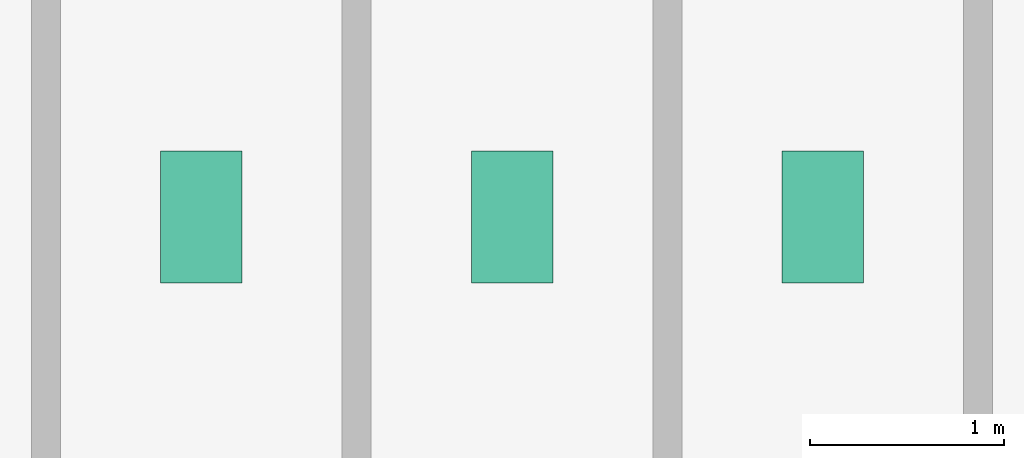
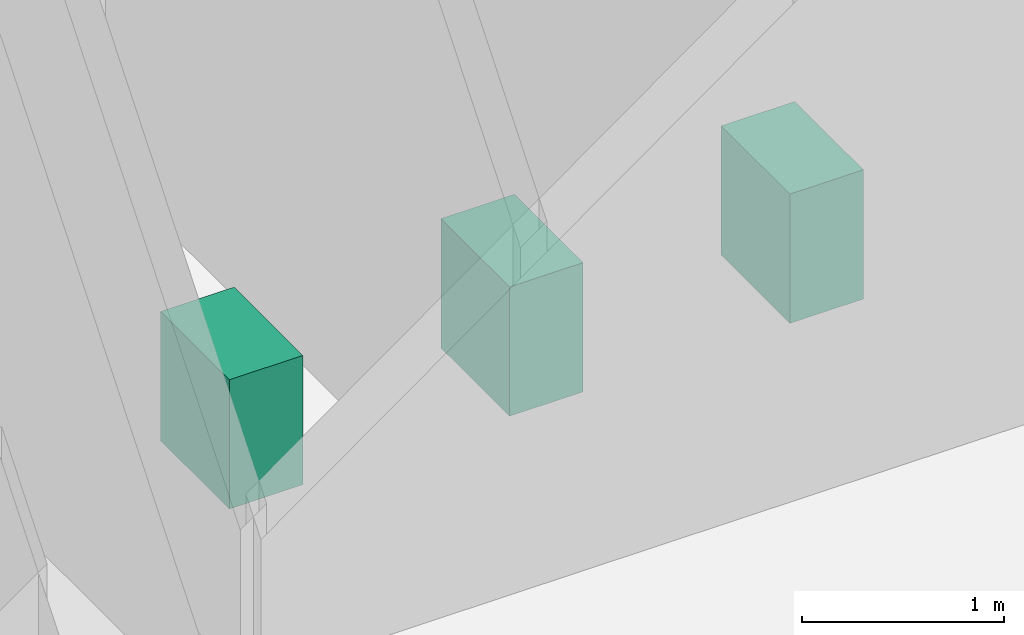
# One storey, part 22 of 22: 3 sanitary terminals.
"""IFC4 building model written with IfcOpenShell, lengths in metres."""

from ifc_helpers import new_model, si_unit, derived_unit, direction, frame, origin, origin_2d, place, context, subcontext, project, spatial, rectangle, extrude, source, transform, mapped, material, type_object, element, save


model = new_model("IFC4")

# Units and contexts
model_context = context("Model", 3, precision=1e-05, world=origin(), true_north=direction((0.0, 1.0)))
body_context = subcontext(model_context, "Body", "Model", "MODEL_VIEW")
ifc_project = project(units=[si_unit("LENGTHUNIT", "METRE"), si_unit("AREAUNIT", "SQUARE_METRE"), si_unit("VOLUMEUNIT", "CUBIC_METRE"), si_unit("PLANEANGLEUNIT", "RADIAN"), si_unit("MASSUNIT", "GRAM", prefix="KILO"), derived_unit("THERMALTRANSMITTANCEUNIT", [(si_unit("POWERUNIT", "WATT"), 1), (si_unit("LENGTHUNIT", "METRE"), -2), (si_unit("THERMODYNAMICTEMPERATUREUNIT", "KELVIN"), -1)])], contexts=[model_context])

# Site, building, storey
site_placement = place(None, origin())
site = spatial("IfcSite", under=ifc_project, at=site_placement, CompositionType="ELEMENT")
building_placement = place(site_placement, origin())
building = spatial("IfcBuilding", under=site, at=building_placement, Name="Skarnbrae Concourse Arena and Tower", CompositionType="ELEMENT")
storey_placement = place(building_placement, frame((0.0, 0.0, 273.39990234375)))
storey = spatial("IfcBuildingStorey", under=building, at=storey_placement, Name="L71", CompositionType="ELEMENT", Elevation=273.39990234375)

# Sanitary terminals
ifc_material = material(Name="Vitreous china sanitaryware", Category="other")
sanitary_terminal_type = type_object("IfcSanitaryTerminalType", Name="SAN-WC-VITREOUS", PredefinedType="TOILETPAN", material=ifc_material)
shared_shape = source(origin(), body_context, "Body", "SweptSolid", [
    extrude(rectangle(XDim=0.419921875, YDim=0.679931640625, at=origin_2d()), origin(), (0.0, 0.0, 1.0), 0.780029296875),
])
for number, where, z_axis, x_axis, name in (
    (1, (35.0, 11.39990234375, 0.0), (0.0, 0.0, 1.0), (1.0, 0.0, 0.0), "L71 Washroom WC fixture 1"),
    (2, (36.60009765625, 11.39990234375, 0.0), (0.0, 0.0, 1.0), (1.0, 0.0, 0.0), "L71 Washroom WC fixture 2"),
    (3, (38.199951171875, 11.39990234375, 0.0), (0.0, 0.0, 1.0), (1.0, 0.0, 0.0), "L71 Washroom WC fixture 3"),
):
    element("IfcSanitaryTerminal", number, at=place(storey_placement, frame(where, z_axis=z_axis, x_axis=x_axis)), inside=storey, type_object=sanitary_terminal_type, Name=name, PredefinedType="TOILETPAN", context=body_context, shape_type="MappedRepresentation", body=[
        mapped(shared_shape, transform((0.0, 0.0, 0.0))),
    ])

save(model, "model.ifc")
